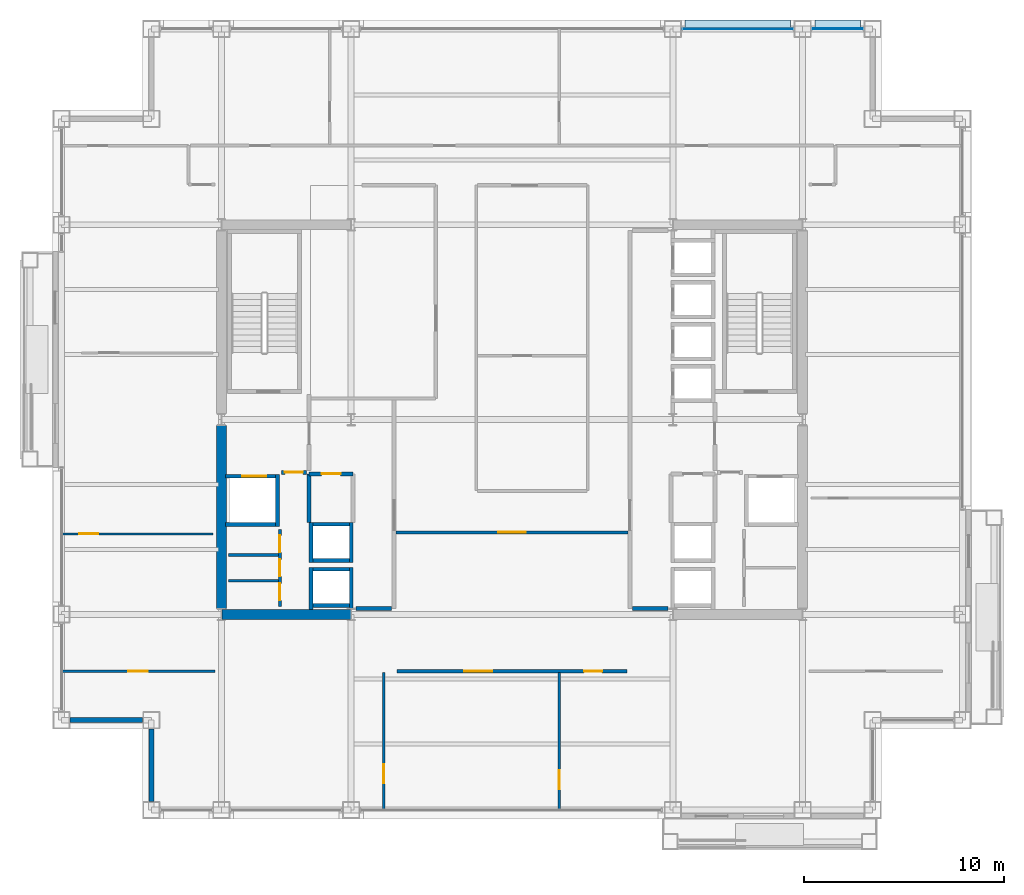
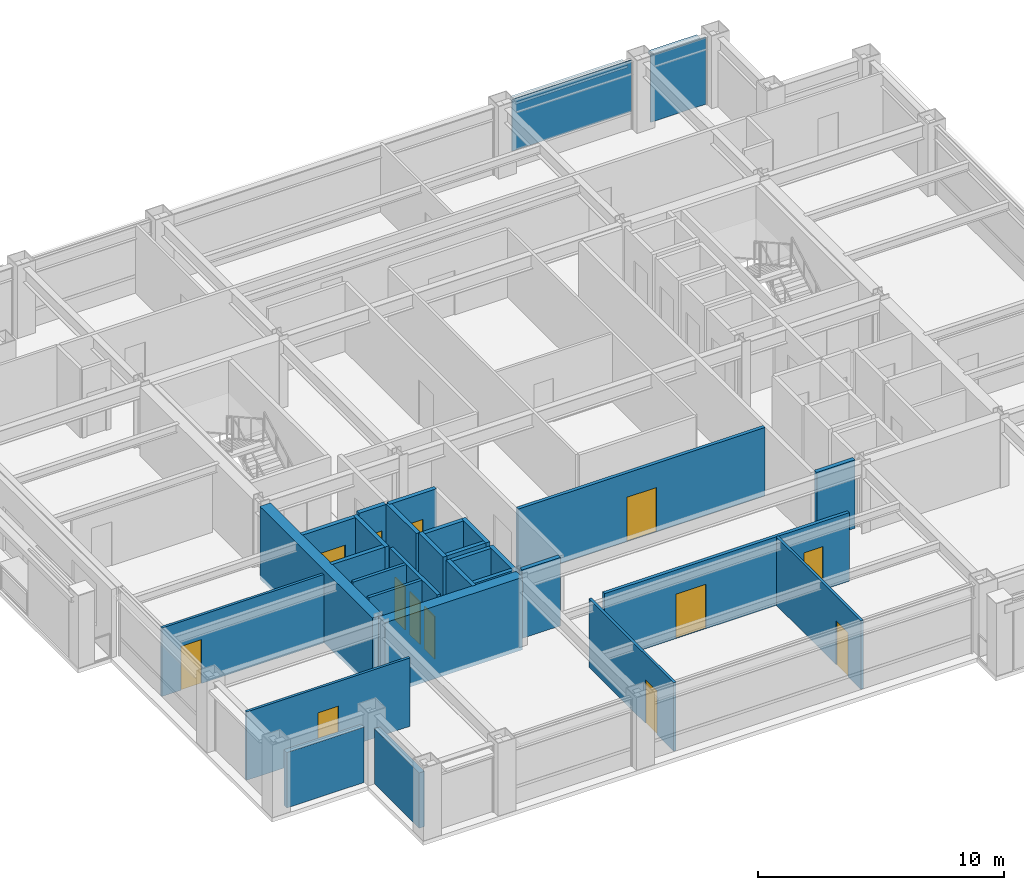
# One storey, part 25 of 31: 29 walls, 13 doors, 4 plates, 13 openings, 2 elements without a shape of their own.
"""IFC4 building model written with IfcOpenShell, lengths in metres."""

from ifc_helpers import new_model, si_unit, direction, frame, frame_2d, origin, origin_2d, place, context, subcontext, project, spatial, rectangle, extrude, material, layer, layer_set, type_object, element, fill, aggregate, save


model = new_model("IFC4")

# Units and contexts
model_context = context("Model", 3, precision=1e-05, world=origin(), true_north=direction((0.0, 1.0)))
body_context = subcontext(model_context, "Body", "Model", "MODEL_VIEW")
ifc_project = project(units=[si_unit("LENGTHUNIT", "METRE"), si_unit("AREAUNIT", "SQUARE_METRE"), si_unit("VOLUMEUNIT", "CUBIC_METRE"), si_unit("PLANEANGLEUNIT", "RADIAN"), si_unit("MASSUNIT", "GRAM", prefix="KILO")], contexts=[model_context])

# Site, building, storey
site_placement = place(None, origin())
site = spatial("IfcSite", under=ifc_project, at=site_placement, CompositionType="ELEMENT")
building_placement = place(site_placement, origin())
building = spatial("IfcBuilding", under=site, at=building_placement, Name="Brelmoor Portico Tower", CompositionType="ELEMENT")
storey_placement = place(building_placement, frame((0.0, 0.0, 113.39990234375)))
storey = spatial("IfcBuildingStorey", under=building, at=storey_placement, Name="L29", CompositionType="ELEMENT", Elevation=113.39990234375)

# Curtain wall, plate
ifc_material_1 = material(Name="Anodised Aluminium Alloy 6063-T6", Category="aluminium")
ifc_layer_1 = layer(ifc_material_1, 0.179931640625)
ifc_layer_set_1 = layer_set([ifc_layer_1], Name="Anodised Aluminium Alloy 6063-T6")
curtain_wall_type_1 = type_object("IfcCurtainWallType", Name="CW-TOWER-Z2", PredefinedType="NOTDEFINED", material=ifc_layer_set_1)
curtain_wall_1_placement = place(storey_placement, origin())
curtain_wall_1 = element("IfcCurtainWall", 1, at=curtain_wall_1_placement, inside=storey, type_object=curtain_wall_type_1, Name="L29 Curtain Wall CW-L29-02-4", PredefinedType="NOTDEFINED")
ifc_material_2 = material(Name="Double-Silver Low-E Insulated Glazing", Category="glass")
ifc_layer_2 = layer(ifc_material_2, 0.035888671875)
ifc_layer_set_2 = layer_set([ifc_layer_2], Name="Double-Silver Low-E Insulated Glazing")
plate_type_1 = type_object("IfcPlateType", Name="PT-CW-GLASS", PredefinedType="CURTAIN_PANEL", material=ifc_layer_set_2)
plate_1_placement = place(storey_placement, frame((11.300048828125, 19.550048828125, 0.85009765625), z_axis=(0.0, 0.0, 1.0), x_axis=(1.0, 0.0, 0.0)))
plate_1 = element("IfcPlate", 2, at=plate_1_placement, type_object=plate_type_1, Name="CW-L29-02-4 Vision Glass Panel 00", PredefinedType="CURTAIN_PANEL", context=body_context, shape_type="SweptSolid", body=[
    extrude(rectangle(XDim=5.60009765625, YDim=0.035888671875, at=origin_2d()), origin(), (0.0, 0.0, 1.0), 2.550048828125),
])
aggregate(curtain_wall_1, [plate_1])

ifc_layer_3 = layer(ifc_material_1, 0.179931640625)
ifc_layer_set_3 = layer_set([ifc_layer_3], Name="Anodised Aluminium Alloy 6063-T6")
curtain_wall_type_2 = type_object("IfcCurtainWallType", Name="CW-TOWER-Z2-XB", PredefinedType="NOTDEFINED", material=ifc_layer_set_3)
curtain_wall_2_placement = place(storey_placement, origin())
curtain_wall_2 = element("IfcCurtainWall", 3, at=curtain_wall_2_placement, inside=storey, type_object=curtain_wall_type_2, Name="L29 Curtain Wall CW-L29-02-5", PredefinedType="NOTDEFINED")
ifc_material_3 = material(Name="Pale Champagne Anodised Aluminium Panel", Category="aluminium")
ifc_layer_4 = layer(ifc_material_3, 0.050048828125)
ifc_layer_set_4 = layer_set([ifc_layer_4], Name="Pale Champagne Anodised Aluminium Panel")
plate_type_2 = type_object("IfcPlateType", Name="PT-CW-SPANDREL", PredefinedType="SHEET", material=ifc_layer_set_4)
plate_2_placement = place(storey_placement, frame((16.300048828125, 19.550048828125, 0.0), z_axis=(0.0, 0.0, 1.0), x_axis=(1.0, 0.0, 0.0)))
plate_2 = element("IfcPlate", 4, at=plate_2_placement, type_object=plate_type_2, Name="CW-L29-02-5 Spandrel Panel 00", PredefinedType="SHEET", context=body_context, shape_type="SweptSolid", body=[
    extrude(rectangle(XDim=2.60009765625, YDim=0.050048828125, at=origin_2d()), origin(), (0.0, 0.0, 1.0), 3.330078125),
])
aggregate(curtain_wall_2, [plate_2])

# Plates
ifc_material_4 = material(Name="Pale Champagne Perforated Aluminium Solar Screen", Category="aluminium")
ifc_layer_5 = layer(ifc_material_4, 0.054931640625)
ifc_layer_set_5 = layer_set([ifc_layer_5], Name="Pale Champagne Perforated Aluminium Solar Screen")
plate_type_3 = type_object("IfcPlateType", Name="PT-SOLAR-LOUVRE", PredefinedType="SHEET", material=ifc_layer_set_5)
plate_3_placement = place(storey_placement, frame((11.300048828125, 19.760009765625, 3.09033203125), z_axis=(0.0, 0.0, 1.0), x_axis=(1.0, 0.0, 0.0)))
element("IfcPlate", 5, at=plate_3_placement, inside=storey, type_object=plate_type_3, Name="CW-L29-02-4 Caribbean Brise-Soleil Solar Screen", PredefinedType="SHEET", context=body_context, shape_type="SweptSolid", body=[
    extrude(rectangle(XDim=5.27001953125, YDim=0.4599609375, at=origin_2d()), origin(), (0.0, 0.0, 1.0), 0.139892578125),
])
plate_4_placement = place(storey_placement, frame((16.300048828125, 19.760009765625, 3.09033203125), z_axis=(0.0, 0.0, 1.0), x_axis=(1.0, 0.0, 0.0)))
element("IfcPlate", 6, at=plate_4_placement, inside=storey, type_object=plate_type_3, Name="CW-L29-02-5 Caribbean Brise-Soleil Solar Screen", PredefinedType="SHEET", context=body_context, shape_type="SweptSolid", body=[
    extrude(rectangle(XDim=2.27001953125, YDim=0.4599609375, at=origin_2d()), origin(), (0.0, 0.0, 1.0), 0.139892578125),
])

# Walls
ifc_material_5 = material(Name="Concrete C60", Category="concrete")
ifc_layer_6 = layer(ifc_material_5, 0.5)
ifc_layer_set_6 = layer_set([ifc_layer_6], Name="Concrete C60")
wall_type_1 = type_object("IfcWallType", Name="WL-CORE-500", PredefinedType="SHEAR", material=ifc_layer_set_6)
wall_1_placement = place(storey_placement, frame((-14.530029296875, -9.75, -0.199951171875), z_axis=(0.0, 0.0, 1.0), x_axis=(1.0, 0.0, 0.0)))
element("IfcWall", 7, at=wall_1_placement, inside=storey, type_object=wall_type_1, Name="L29 WC South Shear Wall", PredefinedType="SHEAR", context=body_context, shape_type="SweptSolid", body=[
    extrude(rectangle(XDim=6.4599609375, YDim=0.5, at=frame_2d((3.22998046875, 0.0))), origin(), (0.0, 0.0, 1.0), 3.60009765625),
])
wall_2_placement = place(storey_placement, frame((-14.550048828125, -9.449951171875, -0.199951171875), z_axis=(0.0, 0.0, 1.0), x_axis=(0.0, 1.0, 0.0)))
element("IfcWall", 8, at=wall_2_placement, inside=storey, type_object=wall_type_1, Name="L29 WC Outer South Shear Wall", PredefinedType="SHEAR", context=body_context, shape_type="SweptSolid", body=[
    extrude(rectangle(XDim=9.14990234375, YDim=0.5, at=frame_2d((4.574951171875, 0.0))), origin(), (0.0, 0.0, 1.0), 3.60009765625),
])
ifc_material_6 = material(Name="Precast Concrete C40 Insulated Facade Wall", Category="concrete")
ifc_layer_7 = layer(ifc_material_6, 0.25)
ifc_layer_set_7 = layer_set([ifc_layer_7], Name="Precast Concrete C40 Insulated Facade Wall")
wall_type_2 = type_object("IfcWallType", Name="WL-EXT-250", PredefinedType="STANDARD", material=ifc_layer_set_7)
for number, where, z_axis, x_axis, name in (
    (9, (-22.114990234375, -15.050048828125, 0.0), (0.0, 0.0, 1.0), (1.0, 0.0, 0.0), "L29 Corner Notch Facade Wall NSWH1"),
    (10, (-18.050048828125, -19.114990234375, 0.0), (0.0, 0.0, 1.0), (0.0, 1.0, 0.0), "L29 Corner Notch Facade Wall NSWV1"),
):
    element("IfcWall", number, at=place(storey_placement, frame(where, z_axis=z_axis, x_axis=x_axis)), inside=storey, type_object=wall_type_2, Name=name, PredefinedType="STANDARD", context=body_context, shape_type="SweptSolid", body=[
        extrude(rectangle(XDim=3.6298828125, YDim=0.25, at=frame_2d((1.81494140625, 0.0))), origin(), (0.0, 0.0, 1.0), 2.75),
    ])

# Wall, opening, door
ifc_material_7 = material(Name="Lightweight Gypsum Office Partition", Category="gypsum")
ifc_layer_8 = layer(ifc_material_7, 0.1201171875)
ifc_layer_set_8 = layer_set([ifc_layer_8], Name="Lightweight Gypsum Office Partition")
wall_type_3 = type_object("IfcWallType", Name="WL-PART-120", PredefinedType="PARTITIONING", material=ifc_layer_set_8)
wall_3_placement = place(storey_placement, frame((-6.42578125, -19.56005859375, 0.0), z_axis=(0.0, 0.0, 1.0), x_axis=(0.0, 1.0, 0.0)))
wall_3 = element("IfcWall", 11, at=wall_3_placement, inside=storey, type_object=wall_type_3, Name="L29 South Suite Partition 1", PredefinedType="PARTITIONING", context=body_context, shape_type="SweptSolid", body=[
    extrude(rectangle(XDim=6.900146484375, YDim=0.1201171875, at=frame_2d((3.4501953125, 0.0))), origin(), (0.0, 0.0, 1.0), 3.400146484375),
])
opening_1_placement = place(wall_3_placement, frame((1.340087890625, 0.0, 0.0)))
opening_1 = element("IfcOpeningElement", 12, at=opening_1_placement, cuts=wall_3, Name="Opening D-IN2", PredefinedType="OPENING", context=body_context, shape_type="SweptSolid", body=[
    extrude(rectangle(XDim=0.9599609375, YDim=2.179931640625, at=frame_2d((0.47998046875, 1.08984375))), frame((0.0, 0.070068359375, 0.0), z_axis=(0.0, -1.0, 0.0), x_axis=(1.0, 0.0, 0.0)), (0.0, 0.0, 1.0), 0.14013671875),
])
ifc_material_8 = material(Name="Lacquered Timber Suite Door", Category="wood")
door_type_1 = type_object("IfcDoorType", Name="DR-INT-950", OperationType="NOTDEFINED", PredefinedType="DOOR", material=ifc_material_8)
door_1_placement = place(opening_1_placement, origin())
door_1 = element("IfcDoor", 13, at=door_1_placement, inside=storey, type_object=door_type_1, Name="D-1290 L29 South Suite Connecting Door 1", OperationType="SINGLE_SWING_LEFT", OverallHeight=2.179931640625, OverallWidth=0.9599609375, PredefinedType="DOOR", context=body_context, shape_type="SweptSolid", body=[
    extrude(rectangle(XDim=0.9599609375, YDim=2.179931640625, at=frame_2d((0.47998046875, 1.08984375))), frame((0.0, 0.02490234375, 0.0), z_axis=(0.0, -1.0, 0.0), x_axis=(1.0, 0.0, 0.0)), (0.0, 0.0, 1.0), 0.050048828125),
])
fill(opening_1, door_1)

wall_4_placement = place(storey_placement, frame((2.367431640625, -19.56005859375, 0.0), z_axis=(0.0, 0.0, 1.0), x_axis=(0.0, 1.0, 0.0)))
wall_4 = element("IfcWall", 14, at=wall_4_placement, inside=storey, type_object=wall_type_3, Name="L29 South Suite Partition 2", PredefinedType="PARTITIONING", context=body_context, shape_type="SweptSolid", body=[
    extrude(rectangle(XDim=6.900146484375, YDim=0.1201171875, at=frame_2d((3.4501953125, 0.0))), origin(), (0.0, 0.0, 1.0), 3.400146484375),
])
opening_2_placement = place(wall_4_placement, frame((1.050048828125, 0.0, 0.0)))
opening_2 = element("IfcOpeningElement", 15, at=opening_2_placement, cuts=wall_4, Name="Opening D-IN2", PredefinedType="OPENING", context=body_context, shape_type="SweptSolid", body=[
    extrude(rectangle(XDim=0.9599609375, YDim=2.179931640625, at=frame_2d((0.47998046875, 1.08984375))), frame((0.0, 0.070068359375, 0.0), z_axis=(0.0, -1.0, 0.0), x_axis=(1.0, 0.0, 0.0)), (0.0, 0.0, 1.0), 0.14013671875),
])
door_2_placement = place(opening_2_placement, origin())
door_2 = element("IfcDoor", 16, at=door_2_placement, inside=storey, type_object=door_type_1, Name="D-1291 L29 South Suite Connecting Door 2", OperationType="SINGLE_SWING_RIGHT", OverallHeight=2.179931640625, OverallWidth=0.9599609375, PredefinedType="DOOR", context=body_context, shape_type="SweptSolid", body=[
    extrude(rectangle(XDim=0.9599609375, YDim=2.179931640625, at=frame_2d((0.47998046875, 1.08984375))), frame((0.0, 0.02490234375, 0.0), z_axis=(0.0, -1.0, 0.0), x_axis=(1.0, 0.0, 0.0)), (0.0, 0.0, 1.0), 0.050048828125),
])
fill(opening_2, door_2)

wall_5_placement = place(storey_placement, frame((-22.56005859375, -12.60009765625, 0.0), z_axis=(0.0, 0.0, 1.0), x_axis=(1.0, 0.0, 0.0)))
wall_5 = element("IfcWall", 17, at=wall_5_placement, inside=storey, type_object=wall_type_3, Name="L29 South Wing Closure WL", PredefinedType="PARTITIONING", context=body_context, shape_type="SweptSolid", body=[
    extrude(rectangle(XDim=7.68017578125, YDim=0.1201171875, at=frame_2d((3.840087890625, 0.0))), origin(), (0.0, 0.0, 1.0), 3.400146484375),
])
opening_3_placement = place(wall_5_placement, frame((3.360107421875, 0.0, 0.0)))
opening_3 = element("IfcOpeningElement", 18, at=opening_3_placement, cuts=wall_5, Name="Opening D-IN2", PredefinedType="OPENING", context=body_context, shape_type="SweptSolid", body=[
    extrude(rectangle(XDim=0.9599609375, YDim=2.179931640625, at=frame_2d((0.47998046875, 1.08984375))), frame((0.0, 0.070068359375, 0.0), z_axis=(0.0, -1.0, 0.0), x_axis=(1.0, 0.0, 0.0)), (0.0, 0.0, 1.0), 0.14013671875),
])
door_3_placement = place(opening_3_placement, origin())
door_3 = element("IfcDoor", 19, at=door_3_placement, inside=storey, type_object=door_type_1, Name="D-1295 L29 WL Wing South Suite Door", OperationType="SINGLE_SWING_RIGHT", OverallHeight=2.179931640625, OverallWidth=0.9599609375, PredefinedType="DOOR", context=body_context, shape_type="SweptSolid", body=[
    extrude(rectangle(XDim=0.9599609375, YDim=2.179931640625, at=frame_2d((0.47998046875, 1.08984375))), frame((0.0, 0.02490234375, 0.0), z_axis=(0.0, -1.0, 0.0), x_axis=(1.0, 0.0, 0.0)), (0.0, 0.0, 1.0), 0.050048828125),
])
fill(opening_3, door_3)

wall_6_placement = place(storey_placement, frame((-22.56005859375, -5.72998046875, 0.0), z_axis=(0.0, 0.0, 1.0), x_axis=(1.0, 0.0, 0.0)))
wall_6 = element("IfcWall", 20, at=wall_6_placement, inside=storey, type_object=wall_type_3, Name="L29 W Wing Partition 1", PredefinedType="PARTITIONING", context=body_context, shape_type="SweptSolid", body=[
    extrude(rectangle(XDim=7.60009765625, YDim=0.1201171875, at=frame_2d((3.800048828125, 0.0))), origin(), (0.0, 0.0, 1.0), 3.400146484375),
])
opening_4_placement = place(wall_6_placement, frame((0.89990234375, 0.0, 0.0)))
opening_4 = element("IfcOpeningElement", 21, at=opening_4_placement, cuts=wall_6, Name="Opening D-IN2", PredefinedType="OPENING", context=body_context, shape_type="SweptSolid", body=[
    extrude(rectangle(XDim=0.9599609375, YDim=2.179931640625, at=frame_2d((0.47998046875, 1.08984375))), frame((0.0, 0.070068359375, 0.0), z_axis=(0.0, -1.0, 0.0), x_axis=(1.0, 0.0, 0.0)), (0.0, 0.0, 1.0), 0.14013671875),
])
door_4_placement = place(opening_4_placement, origin())
door_4 = element("IfcDoor", 22, at=door_4_placement, inside=storey, type_object=door_type_1, Name="D-1302 L29 W Wing Suite Connecting Door 1", OperationType="SINGLE_SWING_LEFT", OverallHeight=2.179931640625, OverallWidth=0.9599609375, PredefinedType="DOOR", context=body_context, shape_type="SweptSolid", body=[
    extrude(rectangle(XDim=0.9599609375, YDim=2.179931640625, at=frame_2d((0.47998046875, 1.08984375))), frame((0.0, 0.02490234375, 0.0), z_axis=(0.0, -1.0, 0.0), x_axis=(1.0, 0.0, 0.0)), (0.0, 0.0, 1.0), 0.050048828125),
])
fill(opening_4, door_4)

# Walls
ifc_material_9 = material(Name="Insulated Stud Suite Partition", Category="gypsum")
ifc_layer_9 = layer(ifc_material_9, 0.139892578125)
ifc_layer_set_9 = layer_set([ifc_layer_9], Name="Insulated Stud Suite Partition")
wall_type_4 = type_object("IfcWallType", Name="WL-PART-140", PredefinedType="PARTITIONING", material=ifc_layer_set_9)
for number, where, z_axis, x_axis, name in (
    (23, (-11.699951171875, -8.066650390625, 0.0), (0.0, 0.0, 1.0), (-1.0, 0.0, 0.0), "L29 W Core WC Divider 1"),
    (24, (-11.699951171875, -6.783203125, 0.0), (0.0, 0.0, 1.0), (-1.0, 0.0, 0.0), "L29 W Core WC Divider 2"),
):
    element("IfcWall", number, at=place(storey_placement, frame(where, z_axis=z_axis, x_axis=x_axis)), inside=storey, type_object=wall_type_4, Name=name, PredefinedType="PARTITIONING", context=body_context, shape_type="SweptSolid", body=[
        extrude(rectangle(XDim=2.5, YDim=0.139892578125, at=frame_2d((1.25, 0.0))), origin(), (0.0, 0.0, 1.0), 3.400146484375),
    ])

# Wall, openings, doors
ifc_material_10 = material(Name="Twin-Frame Acoustic Partition", Category="gypsum")
ifc_layer_10 = layer(ifc_material_10, 0.159912109375)
ifc_layer_set_10 = layer_set([ifc_layer_10], Name="Twin-Frame Acoustic Partition")
wall_type_5 = type_object("IfcWallType", Name="WL-PART-160", PredefinedType="PARTITIONING", material=ifc_layer_set_10)
wall_7_placement = place(storey_placement, frame((-11.6201171875, -9.35009765625, 0.0), z_axis=(0.0, 0.0, 1.0), x_axis=(0.0, 1.0, 0.0)))
wall_7 = element("IfcWall", 25, at=wall_7_placement, inside=storey, type_object=wall_type_5, Name="L29 W Core Service Front Wall", PredefinedType="PARTITIONING", context=body_context, shape_type="SweptSolid", body=[
    extrude(rectangle(XDim=3.85009765625, YDim=0.159912109375, at=frame_2d((1.925048828125, 0.0))), origin(), (0.0, 0.0, 1.0), 3.400146484375),
])
opening_5_placement = place(wall_7_placement, frame((0.300048828125, 0.0, 0.0)))
opening_5 = element("IfcOpeningElement", 26, at=opening_5_placement, cuts=wall_7, Name="Opening D-WC1", PredefinedType="OPENING", context=body_context, shape_type="SweptSolid", body=[
    extrude(rectangle(XDim=0.85009765625, YDim=2.1201171875, at=frame_2d((0.425048828125, 1.06005859375))), frame((0.0, 0.08984375, 0.0), z_axis=(0.0, -1.0, 0.0), x_axis=(1.0, 0.0, 0.0)), (0.0, 0.0, 1.0), 0.179931640625),
])
opening_6_placement = place(wall_7_placement, frame((1.5, 0.0, 0.0)))
opening_6 = element("IfcOpeningElement", 27, at=opening_6_placement, cuts=wall_7, Name="Opening D-WC1", PredefinedType="OPENING", context=body_context, shape_type="SweptSolid", body=[
    extrude(rectangle(XDim=0.85009765625, YDim=2.1201171875, at=frame_2d((0.425048828125, 1.06005859375))), frame((0.0, 0.08984375, 0.0), z_axis=(0.0, -1.0, 0.0), x_axis=(1.0, 0.0, 0.0)), (0.0, 0.0, 1.0), 0.179931640625),
])
opening_7_placement = place(wall_7_placement, frame((2.699951171875, 0.0, 0.0)))
opening_7 = element("IfcOpeningElement", 28, at=opening_7_placement, cuts=wall_7, Name="Opening D-WC1", PredefinedType="OPENING", context=body_context, shape_type="SweptSolid", body=[
    extrude(rectangle(XDim=0.85009765625, YDim=2.1201171875, at=frame_2d((0.425048828125, 1.06005859375))), frame((0.0, 0.08984375, 0.0), z_axis=(0.0, -1.0, 0.0), x_axis=(1.0, 0.0, 0.0)), (0.0, 0.0, 1.0), 0.179931640625),
])
ifc_material_11 = material(Name="Moisture-Resistant Laminate WC Door", Category="timber")
door_type_2 = type_object("IfcDoorType", Name="DR-WC-850", OperationType="NOTDEFINED", PredefinedType="DOOR", material=ifc_material_11)
door_5_placement = place(opening_5_placement, origin())
door_5 = element("IfcDoor", 29, at=door_5_placement, inside=storey, type_object=door_type_2, Name="D-1271 L29 W Accessible WC Door", OperationType="SINGLE_SWING_LEFT", OverallHeight=2.1201171875, OverallWidth=0.85009765625, PredefinedType="DOOR", context=body_context, shape_type="SweptSolid", body=[
    extrude(rectangle(XDim=0.85009765625, YDim=2.1201171875, at=frame_2d((0.425048828125, 1.06005859375))), frame((0.0, 0.02490234375, 0.0), z_axis=(0.0, -1.0, 0.0), x_axis=(1.0, 0.0, 0.0)), (0.0, 0.0, 1.0), 0.050048828125),
])
fill(opening_5, door_5)
door_6_placement = place(opening_6_placement, origin())
door_6 = element("IfcDoor", 30, at=door_6_placement, inside=storey, type_object=door_type_2, Name="D-1272 L29 W Staff WC Door", OperationType="SINGLE_SWING_RIGHT", OverallHeight=2.1201171875, OverallWidth=0.85009765625, PredefinedType="DOOR", context=body_context, shape_type="SweptSolid", body=[
    extrude(rectangle(XDim=0.85009765625, YDim=2.1201171875, at=frame_2d((0.425048828125, 1.06005859375))), frame((0.0, 0.02490234375, 0.0), z_axis=(0.0, -1.0, 0.0), x_axis=(1.0, 0.0, 0.0)), (0.0, 0.0, 1.0), 0.050048828125),
])
fill(opening_6, door_6)
door_7_placement = place(opening_7_placement, origin())
door_7 = element("IfcDoor", 31, at=door_7_placement, inside=storey, type_object=door_type_2, Name="D-1273 L29 W Cleaner Store Door", OperationType="SINGLE_SWING_LEFT", OverallHeight=2.1201171875, OverallWidth=0.85009765625, PredefinedType="DOOR", context=body_context, shape_type="SweptSolid", body=[
    extrude(rectangle(XDim=0.85009765625, YDim=2.1201171875, at=frame_2d((0.425048828125, 1.06005859375))), frame((0.0, 0.02490234375, 0.0), z_axis=(0.0, -1.0, 0.0), x_axis=(1.0, 0.0, 0.0)), (0.0, 0.0, 1.0), 0.050048828125),
])
fill(opening_7, door_7)

# Wall, opening, door
wall_8_placement = place(storey_placement, frame((-5.800048828125, -5.64990234375, 0.0), z_axis=(0.0, 0.0, 1.0), x_axis=(1.0, 0.0, 0.0)))
wall_8 = element("IfcWall", 32, at=wall_8_placement, inside=storey, type_object=wall_type_5, Name="L29 South Hub Corridor Wall", PredefinedType="PARTITIONING", context=body_context, shape_type="SweptSolid", body=[
    extrude(rectangle(XDim=11.60009765625, YDim=0.159912109375, at=frame_2d((5.800048828125, 0.0))), origin(), (0.0, 0.0, 1.0), 3.400146484375),
])
opening_8_placement = place(wall_8_placement, frame((5.10009765625, 0.0, 0.0)))
opening_8 = element("IfcOpeningElement", 33, at=opening_8_placement, cuts=wall_8, Name="Opening D-SU2", PredefinedType="OPENING", context=body_context, shape_type="SweptSolid", body=[
    extrude(rectangle(XDim=1.39990234375, YDim=2.199951171875, at=frame_2d((0.699951171875, 1.10009765625))), frame((0.0, 0.08984375, 0.0), z_axis=(0.0, -1.0, 0.0), x_axis=(1.0, 0.0, 0.0)), (0.0, 0.0, 1.0), 0.179931640625),
])
ifc_material_12 = material(Name="Double-Leaf Acoustic Suite Door", Category="timber")
door_type_3 = type_object("IfcDoorType", Name="DR-SUITE-1400", OperationType="NOTDEFINED", PredefinedType="DOOR", material=ifc_material_12)
door_8_placement = place(opening_8_placement, origin())
door_8 = element("IfcDoor", 34, at=door_8_placement, inside=storey, type_object=door_type_3, Name="D-1264 L29 South Reception Hub Door", OperationType="DOUBLE_DOOR_SINGLE_SWING", OverallHeight=2.199951171875, OverallWidth=1.39990234375, PredefinedType="DOOR", context=body_context, shape_type="SweptSolid", body=[
    extrude(rectangle(XDim=1.39990234375, YDim=2.199951171875, at=frame_2d((0.699951171875, 1.10009765625))), frame((0.0, 0.02490234375, 0.0), z_axis=(0.0, -1.0, 0.0), x_axis=(1.0, 0.0, 0.0)), (0.0, 0.0, 1.0), 0.050048828125),
])
fill(opening_8, door_8)

# Wall, openings, doors
wall_9_placement = place(storey_placement, frame((-5.75, -12.60009765625, 0.0), z_axis=(0.0, 0.0, 1.0), x_axis=(1.0, 0.0, 0.0)))
wall_9 = element("IfcWall", 35, at=wall_9_placement, inside=storey, type_object=wall_type_5, Name="L29 South Corridor Partition", PredefinedType="PARTITIONING", context=body_context, shape_type="SweptSolid", body=[
    extrude(rectangle(XDim=11.5, YDim=0.159912109375, at=frame_2d((5.75, 0.0))), origin(), (0.0, 0.0, 1.0), 3.400146484375),
])
opening_9_placement = place(wall_9_placement, frame((3.358642578125, 0.0, 0.0)))
opening_9 = element("IfcOpeningElement", 36, at=opening_9_placement, cuts=wall_9, Name="Opening D-SU2", PredefinedType="OPENING", context=body_context, shape_type="SweptSolid", body=[
    extrude(rectangle(XDim=1.39990234375, YDim=2.199951171875, at=frame_2d((0.699951171875, 1.10009765625))), frame((0.0, 0.08984375, 0.0), z_axis=(0.0, -1.0, 0.0), x_axis=(1.0, 0.0, 0.0)), (0.0, 0.0, 1.0), 0.179931640625),
])
opening_10_placement = place(wall_9_placement, frame((9.358642578125, 0.0, 0.0)))
opening_10 = element("IfcOpeningElement", 37, at=opening_10_placement, cuts=wall_9, Name="Opening D-IN1", PredefinedType="OPENING", context=body_context, shape_type="SweptSolid", body=[
    extrude(rectangle(XDim=0.89990234375, YDim=2.14990234375, at=frame_2d((0.449951171875, 1.074951171875))), frame((0.0, 0.08984375, 0.0), z_axis=(0.0, -1.0, 0.0), x_axis=(1.0, 0.0, 0.0)), (0.0, 0.0, 1.0), 0.179931640625),
])
door_type_4 = type_object("IfcDoorType", Name="DR-INT-900", OperationType="NOTDEFINED", PredefinedType="DOOR", material=ifc_material_8)
door_9_placement = place(opening_10_placement, origin())
door_9 = element("IfcDoor", 38, at=door_9_placement, inside=storey, type_object=door_type_4, Name="D-1289 L29 South Open-Plan Office 3 Door", OperationType="SINGLE_SWING_LEFT", OverallHeight=2.14990234375, OverallWidth=0.89990234375, PredefinedType="DOOR", context=body_context, shape_type="SweptSolid", body=[
    extrude(rectangle(XDim=0.89990234375, YDim=2.14990234375, at=frame_2d((0.449951171875, 1.074951171875))), frame((0.0, 0.02490234375, 0.0), z_axis=(0.0, -1.0, 0.0), x_axis=(1.0, 0.0, 0.0)), (0.0, 0.0, 1.0), 0.050048828125),
])
fill(opening_10, door_9)
door_10_placement = place(opening_9_placement, origin())
door_10 = element("IfcDoor", 39, at=door_10_placement, inside=storey, type_object=door_type_3, Name="D-1288 L29 South Project Consultation Room 2 Door", OperationType="DOUBLE_DOOR_SINGLE_SWING", OverallHeight=2.199951171875, OverallWidth=1.39990234375, PredefinedType="DOOR", context=body_context, shape_type="SweptSolid", body=[
    extrude(rectangle(XDim=1.39990234375, YDim=2.199951171875, at=frame_2d((0.699951171875, 1.10009765625))), frame((0.0, 0.02490234375, 0.0), z_axis=(0.0, -1.0, 0.0), x_axis=(1.0, 0.0, 0.0)), (0.0, 0.0, 1.0), 0.050048828125),
])
fill(opening_9, door_10)

# Wall
ifc_material_13 = material(Name="Double-Stud Gypsum Fire Partition", Category="gypsum")
ifc_layer_11 = layer(ifc_material_13, 0.199951171875)
ifc_layer_set_11 = layer_set([ifc_layer_11], Name="Double-Stud Gypsum Fire Partition")
wall_type_6 = type_object("IfcWallType", Name="WL-PART-200", PredefinedType="PARTITIONING", material=ifc_layer_set_11)
wall_10_placement = place(storey_placement, frame((-6.02001953125, -9.449951171875, 0.0), z_axis=(0.0, 0.0, 1.0), x_axis=(-1.0, 0.0, 0.0)))
element("IfcWall", 40, at=wall_10_placement, inside=storey, type_object=wall_type_6, Name="L29 W Lift Lobby South End Wall", PredefinedType="PARTITIONING", context=body_context, shape_type="SweptSolid", body=[
    extrude(rectangle(XDim=1.800048828125, YDim=0.199951171875, at=frame_2d((0.89990234375, 0.0))), origin(), (0.0, 0.0, 1.0), 3.400146484375),
])

# Wall, opening, door
wall_11_placement = place(storey_placement, frame((-10.280029296875, -2.64990234375, 0.0), z_axis=(0.0, 0.0, 1.0), x_axis=(-1.0, 0.0, 0.0)))
wall_11 = element("IfcWall", 41, at=wall_11_placement, inside=storey, type_object=wall_type_6, Name="L29 W Firefighting Lobby South Wall", PredefinedType="PARTITIONING", context=body_context, shape_type="SweptSolid", body=[
    extrude(rectangle(XDim=1.27001953125, YDim=0.199951171875, at=frame_2d((0.635009765625, 0.0))), origin(), (0.0, 0.0, 1.0), 3.400146484375),
])
opening_11_placement = place(wall_11_placement, frame((0.18505859375, 0.0, 0.0)))
opening_11 = element("IfcOpeningElement", 42, at=opening_11_placement, cuts=wall_11, Name="Opening D-IN1", PredefinedType="OPENING", context=body_context, shape_type="SweptSolid", body=[
    extrude(rectangle(XDim=0.89990234375, YDim=2.14990234375, at=frame_2d((0.449951171875, 1.074951171875))), frame((0.0, 0.10986328125, 0.0), z_axis=(0.0, -1.0, 0.0), x_axis=(1.0, 0.0, 0.0)), (0.0, 0.0, 1.0), 0.219970703125),
])
door_11_placement = place(opening_11_placement, origin())
door_11 = element("IfcDoor", 43, at=door_11_placement, inside=storey, type_object=door_type_4, Name="D-1270 L29 W Core Service Vestibule Door", OperationType="SINGLE_SWING_LEFT", OverallHeight=2.14990234375, OverallWidth=0.89990234375, PredefinedType="DOOR", context=body_context, shape_type="SweptSolid", body=[
    extrude(rectangle(XDim=0.89990234375, YDim=2.14990234375, at=frame_2d((0.449951171875, 1.074951171875))), frame((0.0, 0.02490234375, 0.0), z_axis=(0.0, -1.0, 0.0), x_axis=(1.0, 0.0, 0.0)), (0.0, 0.0, 1.0), 0.050048828125),
])
fill(opening_11, door_11)

wall_12_placement = place(storey_placement, frame((-7.9599609375, -2.719970703125, 0.0), z_axis=(0.0, 0.0, 1.0), x_axis=(-1.0, 0.0, 0.0)))
wall_12 = element("IfcWall", 44, at=wall_12_placement, inside=storey, type_object=wall_type_6, Name="L29 W Electrical Switchgear Closet Wall", PredefinedType="PARTITIONING", context=body_context, shape_type="SweptSolid", body=[
    extrude(rectangle(XDim=2.199951171875, YDim=0.199951171875, at=frame_2d((1.10009765625, 0.0))), origin(), (0.0, 0.0, 1.0), 3.400146484375),
])
opening_12_placement = place(wall_12_placement, frame((0.6201171875, 0.0, 0.0)))
opening_12 = element("IfcOpeningElement", 45, at=opening_12_placement, cuts=wall_12, Name="Opening D-FR4", PredefinedType="OPENING", context=body_context, shape_type="SweptSolid", body=[
    extrude(rectangle(XDim=0.949951171875, YDim=2.10009765625, at=frame_2d((0.47509765625, 1.050048828125))), frame((0.0, 0.10986328125, 0.0), z_axis=(0.0, -1.0, 0.0), x_axis=(1.0, 0.0, 0.0)), (0.0, 0.0, 1.0), 0.219970703125),
])
ifc_material_14 = material(Name="Painted Galvanised Steel Riser Door", Category="steel")
door_type_5 = type_object("IfcDoorType", Name="DR-FIRE-950", OperationType="NOTDEFINED", PredefinedType="DOOR", material=ifc_material_14)
door_12_placement = place(opening_12_placement, origin())
door_12 = element("IfcDoor", 46, at=door_12_placement, inside=storey, type_object=door_type_5, Name="D-1275 L29 W Electrical Switchgear Closet Door", OperationType="SINGLE_SWING_RIGHT", OverallHeight=2.10009765625, OverallWidth=0.949951171875, PredefinedType="DOOR", context=body_context, shape_type="SweptSolid", body=[
    extrude(rectangle(XDim=0.949951171875, YDim=2.10009765625, at=frame_2d((0.47509765625, 1.050048828125))), frame((0.0, 0.02490234375, 0.0), z_axis=(0.0, -1.0, 0.0), x_axis=(1.0, 0.0, 0.0)), (0.0, 0.0, 1.0), 0.050048828125),
])
fill(opening_12, door_12)

# Walls
wall_13_placement = place(storey_placement, frame((-10.159912109375, -5.159912109375, 0.0), z_axis=(0.0, 0.0, 1.0), x_axis=(0.0, 1.0, 0.0)))
element("IfcWall", 47, at=wall_13_placement, inside=storey, type_object=wall_type_6, Name="L29 W Electrical Switchgear Closet Outer Wall", PredefinedType="PARTITIONING", context=body_context, shape_type="SweptSolid", body=[
    extrude(rectangle(XDim=2.43994140625, YDim=0.199951171875, at=frame_2d((1.219970703125, 0.0))), origin(), (0.0, 0.0, 1.0), 3.400146484375),
])
wall_14_placement = place(storey_placement, frame((6.02001953125, -9.449951171875, 0.0), z_axis=(0.0, 0.0, 1.0), x_axis=(1.0, 0.0, 0.0)))
element("IfcWall", 48, at=wall_14_placement, inside=storey, type_object=wall_type_6, Name="L29 E Lift Lobby South End Wall", PredefinedType="PARTITIONING", context=body_context, shape_type="SweptSolid", body=[
    extrude(rectangle(XDim=1.800048828125, YDim=0.199951171875, at=frame_2d((0.89990234375, 0.0))), origin(), (0.0, 0.0, 1.0), 3.400146484375),
])
ifc_material_15 = material(Name="Precast Concrete C40", Category="concrete")
ifc_layer_12 = layer(ifc_material_15, 0.18994140625)
ifc_layer_set_12 = layer_set([ifc_layer_12], Name="Precast Concrete C40")
wall_type_7 = type_object("IfcWallType", Name="WL-SHAFT-180", PredefinedType="SOLIDWALL", material=ifc_layer_set_12)
for number, where, z_axis, x_axis, name in (
    (49, (-8.044921875, -9.52001953125, -0.199951171875), (0.0, 0.0, 1.0), (0.0, 1.0, 0.0), "L29 Lift PH1 Hoistway Front Wall"),
    (50, (-10.054931640625, -9.52001953125, -0.199951171875), (0.0, 0.0, 1.0), (0.0, 1.0, 0.0), "L29 Lift PH1 Hoistway Back Wall"),
):
    element("IfcWall", number, at=place(storey_placement, frame(where, z_axis=z_axis, x_axis=x_axis)), inside=storey, type_object=wall_type_7, Name=name, PredefinedType="SOLIDWALL", context=body_context, shape_type="SweptSolid", body=[
        extrude(rectangle(XDim=2.1201171875, YDim=0.18994140625, at=frame_2d((1.06005859375, 0.0))), origin(), (0.0, 0.0, 1.0), 3.60009765625),
    ])
for number, where, z_axis, x_axis, name in (
    (51, (-10.14990234375, -7.4951171875, -0.199951171875), (0.0, 0.0, 1.0), (1.0, 0.0, 0.0), "L29 Lift PH1 Hoistway North Wall"),
    (52, (-10.14990234375, -9.304931640625, -0.199951171875), (0.0, 0.0, 1.0), (1.0, 0.0, 0.0), "L29 Lift PH1 Hoistway South Wall"),
):
    element("IfcWall", number, at=place(storey_placement, frame(where, z_axis=z_axis, x_axis=x_axis)), inside=storey, type_object=wall_type_7, Name=name, PredefinedType="SOLIDWALL", context=body_context, shape_type="SweptSolid", body=[
        extrude(rectangle(XDim=2.199951171875, YDim=0.18994140625, at=frame_2d((1.10009765625, 0.0))), origin(), (0.0, 0.0, 1.0), 3.60009765625),
    ])
for number, where, z_axis, x_axis, name in (
    (53, (-8.044921875, -7.14990234375, -0.199951171875), (0.0, 0.0, 1.0), (0.0, 1.0, 0.0), "L29 Lift PH2 Hoistway Front Wall"),
    (54, (-10.054931640625, -7.14990234375, -0.199951171875), (0.0, 0.0, 1.0), (0.0, 1.0, 0.0), "L29 Lift PH2 Hoistway Back Wall"),
):
    element("IfcWall", number, at=place(storey_placement, frame(where, z_axis=z_axis, x_axis=x_axis)), inside=storey, type_object=wall_type_7, Name=name, PredefinedType="SOLIDWALL", context=body_context, shape_type="SweptSolid", body=[
        extrude(rectangle(XDim=2.0, YDim=0.18994140625, at=frame_2d((1.0, 0.0))), origin(), (0.0, 0.0, 1.0), 3.60009765625),
    ])
for number, where, z_axis, x_axis, name in (
    (55, (-10.14990234375, -5.2451171875, -0.199951171875), (0.0, 0.0, 1.0), (1.0, 0.0, 0.0), "L29 Lift PH2 Hoistway North Wall"),
    (56, (-10.14990234375, -7.054931640625, -0.199951171875), (0.0, 0.0, 1.0), (1.0, 0.0, 0.0), "L29 Lift PH2 Hoistway South Wall"),
):
    element("IfcWall", number, at=place(storey_placement, frame(where, z_axis=z_axis, x_axis=x_axis)), inside=storey, type_object=wall_type_7, Name=name, PredefinedType="SOLIDWALL", context=body_context, shape_type="SweptSolid", body=[
        extrude(rectangle(XDim=2.199951171875, YDim=0.18994140625, at=frame_2d((1.10009765625, 0.0))), origin(), (0.0, 0.0, 1.0), 3.60009765625),
    ])

# Wall, opening, door
wall_15_placement = place(storey_placement, frame((-14.330078125, -2.844970703125, -0.199951171875), z_axis=(0.0, 0.0, 1.0), x_axis=(1.0, 0.0, 0.0)))
wall_15 = element("IfcWall", 57, at=wall_15_placement, inside=storey, type_object=wall_type_7, Name="L29 Lift FF1 Hoistway Front Wall", PredefinedType="SOLIDWALL", context=body_context, shape_type="SweptSolid", body=[
    extrude(rectangle(XDim=2.68017578125, YDim=0.18994140625, at=frame_2d((1.340087890625, 0.0))), origin(), (0.0, 0.0, 1.0), 3.60009765625),
])
opening_13_placement = place(wall_15_placement, frame((0.830078125, 0.0, 0.199951171875)))
opening_13 = element("IfcOpeningElement", 58, at=opening_13_placement, cuts=wall_15, Name="Opening LD-02", PredefinedType="OPENING", context=body_context, shape_type="SweptSolid", body=[
    extrude(rectangle(XDim=1.199951171875, YDim=2.199951171875, at=frame_2d((0.60009765625, 1.10009765625))), frame((0.0, 0.10498046875, 0.0), z_axis=(0.0, -1.0, 0.0), x_axis=(1.0, 0.0, 0.0)), (0.0, 0.0, 1.0), 0.2099609375),
])
ifc_material_16 = material(Name="Brushed Stainless Steel Firefighting Lift Door", Category="steel")
door_type_6 = type_object("IfcDoorType", Name="DR-LIFT-1200", OperationType="NOTDEFINED", PredefinedType="DOOR", material=ifc_material_16)
door_13_placement = place(opening_13_placement, origin())
door_13 = element("IfcDoor", 59, at=door_13_placement, inside=storey, type_object=door_type_6, Name="D-1304 L29 Lift FF1 Sliding Landing Door", OperationType="SLIDING_TO_LEFT", OverallHeight=2.199951171875, OverallWidth=1.199951171875, PredefinedType="DOOR", context=body_context, shape_type="SweptSolid", body=[
    extrude(rectangle(XDim=1.199951171875, YDim=2.199951171875, at=frame_2d((0.60009765625, 1.10009765625))), frame((0.0, 0.02490234375, 0.0), z_axis=(0.0, -1.0, 0.0), x_axis=(1.0, 0.0, 0.0)), (0.0, 0.0, 1.0), 0.050048828125),
])
fill(opening_13, door_13)

# Walls
wall_16_placement = place(storey_placement, frame((-14.330078125, -5.2548828125, -0.199951171875), z_axis=(0.0, 0.0, 1.0), x_axis=(1.0, 0.0, 0.0)))
element("IfcWall", 60, at=wall_16_placement, inside=storey, type_object=wall_type_7, Name="L29 Firefighting Lift FF1 South Wall", PredefinedType="SOLIDWALL", context=body_context, shape_type="SweptSolid", body=[
    extrude(rectangle(XDim=2.68017578125, YDim=0.18994140625, at=frame_2d((1.340087890625, 0.0))), origin(), (0.0, 0.0, 1.0), 3.60009765625),
])
wall_17_placement = place(storey_placement, frame((-11.7451171875, -5.35009765625, -0.199951171875), z_axis=(0.0, 0.0, 1.0), x_axis=(0.0, 1.0, 0.0)))
element("IfcWall", 61, at=wall_17_placement, inside=storey, type_object=wall_type_7, Name="L29 Firefighting Lift FF1 Inner Wall", PredefinedType="SOLIDWALL", context=body_context, shape_type="SweptSolid", body=[
    extrude(rectangle(XDim=2.60009765625, YDim=0.18994140625, at=frame_2d((1.300048828125, 0.0))), origin(), (0.0, 0.0, 1.0), 3.60009765625),
])

save(model, "model.ifc")
